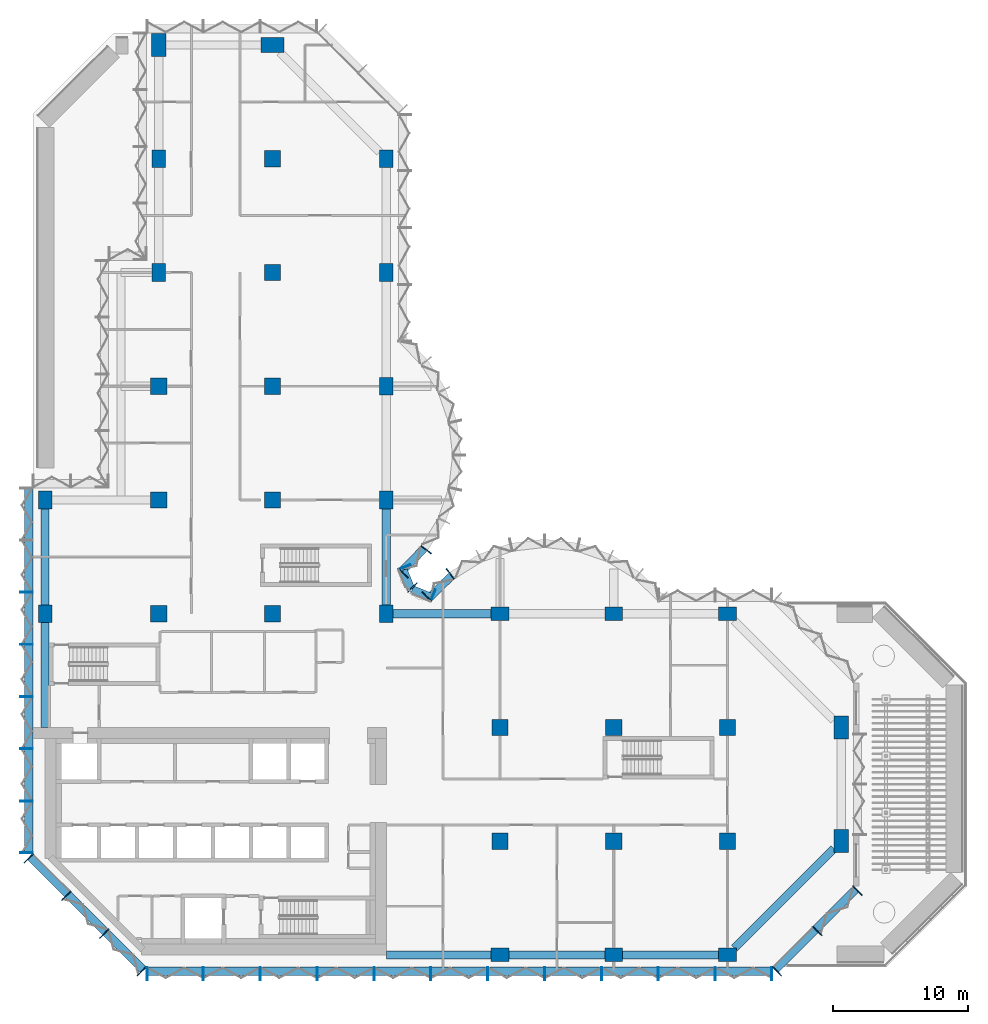
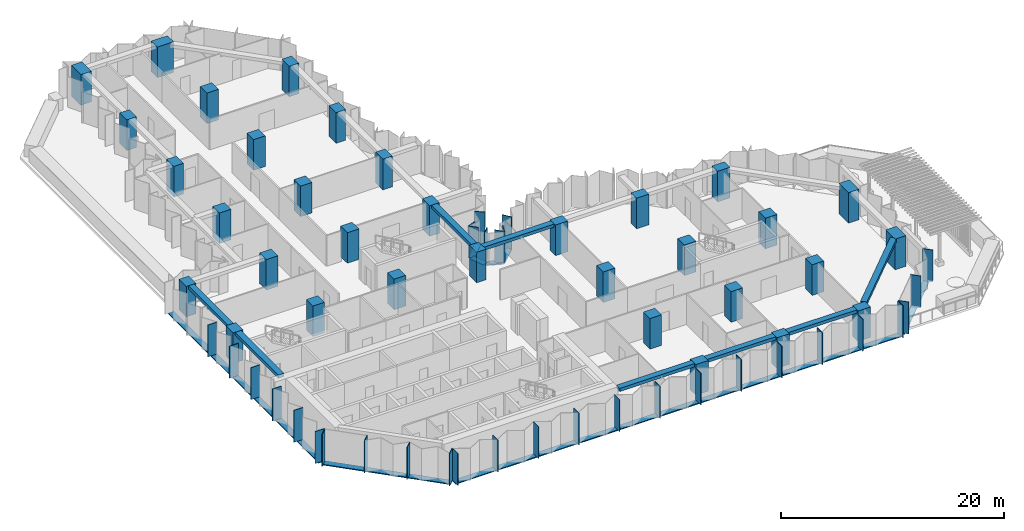
# One storey, part 1 of 18: 40 members, 33 columns, 8 beams, 7 elements without a shape of their own.
"""IFC4 building model written with IfcOpenShell, lengths in metres."""

from ifc_helpers import new_model, si_unit, direction, frame, origin, origin_2d, place, context, subcontext, project, spatial, rectangle, extrude, material, material_profile, profile_set, type_object, element, aggregate, save


model = new_model("IFC4")

# Units and contexts
model_context = context("Model", 3, precision=1e-05, world=origin(), true_north=direction((0.0, 1.0)))
body_context = subcontext(model_context, "Body", "Model", "MODEL_VIEW")
ifc_project = project(units=[si_unit("LENGTHUNIT", "METRE"), si_unit("AREAUNIT", "SQUARE_METRE"), si_unit("VOLUMEUNIT", "CUBIC_METRE"), si_unit("PLANEANGLEUNIT", "RADIAN"), si_unit("MASSUNIT", "GRAM", prefix="KILO")], contexts=[model_context])

# Site, building, storey
site_placement = place(None, origin())
site = spatial("IfcSite", under=ifc_project, at=site_placement, CompositionType="ELEMENT")
building_placement = place(site_placement, origin())
building = spatial("IfcBuilding", under=site, at=building_placement, Name="Brevane Broadcast Tower", CompositionType="ELEMENT")
storey_placement = place(building_placement, frame((0.0, 0.0, 134.89990234375)))
storey = spatial("IfcBuildingStorey", under=building, at=storey_placement, Name="L33", CompositionType="ELEMENT", Elevation=134.89990234375)

# Columns
ifc_material_1 = material(Name="Concrete C60/75", Category="concrete")
ifc_material_profile_1 = material_profile(ifc_material_1, rectangle(XDim=1.0, YDim=1.300048828125, at=origin_2d()), Name="RC 1000x1300")
ifc_profile_set_1 = profile_set([ifc_material_profile_1], Name="Concrete C60/75")
column_type_1 = type_object("IfcColumnType", Name="RC COLUMN EDGE 1000x1300 C60/75", PredefinedType="COLUMN", material=ifc_profile_set_1)
for number, where, z_axis, x_axis, name in (
    (1, (0.0, 25.199951171875, 0.0), (0.0, 0.0, 1.0), (1.0, 0.0, 0.0), "CE8 1/D"),
    (2, (0.0, 33.60009765625, 0.0), (0.0, 0.0, 1.0), (1.0, 0.0, 0.0), "CE8 1/E"),
    (3, (8.39990234375, 50.39990234375, 0.0), (0.0, 0.0, 1.0), (1.0, 0.0, 0.0), "CE8 2/G"),
    (4, (8.39990234375, 58.800048828125, 0.0), (0.0, 0.0, 1.0), (1.0, 0.0, 0.0), "CE8 2/H"),
    (5, (25.199951171875, 25.199951171875, 0.0), (0.0, 0.0, 1.0), (1.0, 0.0, 0.0), "CE8 4/D"),
    (6, (25.199951171875, 33.60009765625, 0.0), (0.0, 0.0, 1.0), (1.0, 0.0, 0.0), "CE8 4/E"),
    (7, (25.199951171875, 42.0, 0.0), (0.0, 0.0, 1.0), (1.0, 0.0, 0.0), "CE8 4/F"),
    (8, (25.199951171875, 50.39990234375, 0.0), (0.0, 0.0, 1.0), (1.0, 0.0, 0.0), "CE8 4/G"),
    (9, (25.199951171875, 58.800048828125, 0.0), (0.0, 0.0, 1.0), (1.0, 0.0, 0.0), "CE8 4/H"),
    (10, (33.60009765625, 0.0, 0.0), (0.0, 0.0, 1.0), (0.0, 1.0, 0.0), "CE8 5/A"),
    (11, (33.60009765625, 25.199951171875, 0.0), (0.0, 0.0, 1.0), (0.0, 1.0, 0.0), "CE8 5/D"),
    (12, (42.0, 0.0, 0.0), (0.0, 0.0, 1.0), (0.0, 1.0, 0.0), "CE8 6/A"),
    (13, (42.0, 25.199951171875, 0.0), (0.0, 0.0, 1.0), (0.0, 1.0, 0.0), "CE8 6/D"),
    (14, (50.39990234375, 0.0, 0.0), (0.0, 0.0, 1.0), (0.0, 1.0, 0.0), "CE8 7/A"),
    (15, (50.39990234375, 25.199951171875, 0.0), (0.0, 0.0, 1.0), (0.0, 1.0, 0.0), "CE8 7/D"),
):
    element("IfcColumn", number, at=place(storey_placement, frame(where, z_axis=z_axis, x_axis=x_axis)), inside=storey, type_object=column_type_1, Name=name, PredefinedType="COLUMN", context=body_context, shape_type="SweptSolid", body=[
        extrude(rectangle(XDim=1.0, YDim=1.300048828125, at=origin_2d()), origin(), (0.0, 0.0, 1.0), 3.35009765625),
    ])
ifc_material_profile_2 = material_profile(ifc_material_1, rectangle(XDim=1.199951171875, YDim=1.199951171875, at=origin_2d()), Name="RC 1200x1200")
ifc_profile_set_2 = profile_set([ifc_material_profile_2], Name="Concrete C60/75")
column_type_2 = type_object("IfcColumnType", Name="RC COLUMN INTERIOR 1200x1200 C60/75", PredefinedType="COLUMN", material=ifc_profile_set_2)
for number, where, z_axis, x_axis, name in (
    (16, (8.39990234375, 25.199951171875, 0.0), (0.0, 0.0, 1.0), (1.0, 0.0, 0.0), "CI9 2/D"),
    (17, (8.39990234375, 33.60009765625, 0.0), (0.0, 0.0, 1.0), (1.0, 0.0, 0.0), "CI9 2/E"),
    (18, (8.39990234375, 42.0, 0.0), (0.0, 0.0, 1.0), (1.0, 0.0, 0.0), "CI9 2/F"),
    (19, (16.800048828125, 25.199951171875, 0.0), (0.0, 0.0, 1.0), (1.0, 0.0, 0.0), "CI9 3/D"),
    (20, (16.800048828125, 33.60009765625, 0.0), (0.0, 0.0, 1.0), (1.0, 0.0, 0.0), "CI9 3/E"),
    (21, (16.800048828125, 42.0, 0.0), (0.0, 0.0, 1.0), (1.0, 0.0, 0.0), "CI9 3/F"),
    (22, (16.800048828125, 50.39990234375, 0.0), (0.0, 0.0, 1.0), (1.0, 0.0, 0.0), "CI9 3/G"),
    (23, (16.800048828125, 58.800048828125, 0.0), (0.0, 0.0, 1.0), (1.0, 0.0, 0.0), "CI9 3/H"),
    (24, (33.60009765625, 8.39990234375, 0.0), (0.0, 0.0, 1.0), (1.0, 0.0, 0.0), "CI9 5/B"),
    (25, (33.60009765625, 16.800048828125, 0.0), (0.0, 0.0, 1.0), (1.0, 0.0, 0.0), "CI9 5/C"),
    (26, (42.0, 8.39990234375, 0.0), (0.0, 0.0, 1.0), (1.0, 0.0, 0.0), "CI9 6/B"),
    (27, (42.0, 16.800048828125, 0.0), (0.0, 0.0, 1.0), (1.0, 0.0, 0.0), "CI9 6/C"),
    (28, (50.39990234375, 8.39990234375, 0.0), (0.0, 0.0, 1.0), (1.0, 0.0, 0.0), "CI9 7/B"),
    (29, (50.39990234375, 16.800048828125, 0.0), (0.0, 0.0, 1.0), (1.0, 0.0, 0.0), "CI9 7/C"),
):
    element("IfcColumn", number, at=place(storey_placement, frame(where, z_axis=z_axis, x_axis=x_axis)), inside=storey, type_object=column_type_2, Name=name, PredefinedType="COLUMN", context=body_context, shape_type="SweptSolid", body=[
        extrude(rectangle(XDim=1.199951171875, YDim=1.199951171875, at=origin_2d()), origin(), (0.0, 0.0, 1.0), 3.35009765625),
    ])
ifc_material_profile_3 = material_profile(ifc_material_1, rectangle(XDim=1.10009765625, YDim=1.699951171875, at=origin_2d()), Name="RC 1100x1700")
ifc_profile_set_3 = profile_set([ifc_material_profile_3], Name="Concrete C60/75")
column_type_3 = type_object("IfcColumnType", Name="RC COLUMN WING-END 1100x1700 C60/75", PredefinedType="COLUMN", material=ifc_profile_set_3)
for number, where, z_axis, x_axis, name in (
    (30, (8.39990234375, 67.199951171875, 0.0), (0.0, 0.0, 1.0), (1.0, 0.0, 0.0), "CW10 2/I"),
    (31, (16.800048828125, 67.199951171875, 0.0), (0.0, 0.0, 1.0), (0.0, 1.0, 0.0), "CW10 3/I"),
    (32, (58.800048828125, 8.39990234375, 0.0), (0.0, 0.0, 1.0), (1.0, 0.0, 0.0), "CW10 8/B"),
    (33, (58.800048828125, 16.800048828125, 0.0), (0.0, 0.0, 1.0), (1.0, 0.0, 0.0), "CW10 8/C"),
):
    element("IfcColumn", number, at=place(storey_placement, frame(where, z_axis=z_axis, x_axis=x_axis)), inside=storey, type_object=column_type_3, Name=name, PredefinedType="COLUMN", context=body_context, shape_type="SweptSolid", body=[
        extrude(rectangle(XDim=1.10009765625, YDim=1.699951171875, at=origin_2d()), origin(), (0.0, 0.0, 1.0), 3.35009765625),
    ])

# Curtain wall, members
ifc_material_2 = material(Name="Aluminium 6063-T6 bronze anodised", Category="aluminium")
curtain_wall_type = type_object("IfcCurtainWallType", Name="CW-1 curtain wall", PredefinedType="NOTDEFINED", material=ifc_material_2)
curtain_wall_1_placement = place(storey_placement, origin())
curtain_wall_1 = element("IfcCurtainWall", 34, at=curtain_wall_1_placement, inside=storey, type_object=curtain_wall_type, Name="CW-1 typical tilted unit L33 south face", PredefinedType="NOTDEFINED")
ifc_material_profile_4 = material_profile(ifc_material_2, rectangle(XDim=0.949951171875, YDim=0.070068359375, at=origin_2d()), Name="RECT 70x950")
ifc_profile_set_4 = profile_set([ifc_material_profile_4], Name="Aluminium 6063-T6 bronze anodised")
member_type_1 = type_object("IfcMemberType", Name="CW-1 mullion 70x950", PredefinedType="MULLION", material=ifc_profile_set_4)
member_1_placement = place(storey_placement, frame((7.534912109375, -1.375, -0.14990234375), z_axis=(0.0, 0.0, 1.0), x_axis=(0.0, 1.0, 0.0)))
member_1 = element("IfcMember", 35, at=member_1_placement, type_object=member_type_1, Name="CW-1 mullion", PredefinedType="MULLION", context=body_context, shape_type="SweptSolid", body=[
    extrude(rectangle(XDim=0.949951171875, YDim=0.070068359375, at=origin_2d()), origin(), (0.0, 0.0, 1.0), 3.5),
])
member_2_placement = place(storey_placement, frame((11.699951171875, -1.375, -0.14990234375), z_axis=(0.0, 0.0, 1.0), x_axis=(0.0, 1.0, 0.0)))
member_2 = element("IfcMember", 36, at=member_2_placement, type_object=member_type_1, Name="CW-1 mullion", PredefinedType="MULLION", context=body_context, shape_type="SweptSolid", body=[
    extrude(rectangle(XDim=0.949951171875, YDim=0.070068359375, at=origin_2d()), origin(), (0.0, 0.0, 1.0), 3.5),
])
member_3_placement = place(storey_placement, frame((15.89990234375, -1.375, -0.14990234375), z_axis=(0.0, 0.0, 1.0), x_axis=(0.0, 1.0, 0.0)))
member_3 = element("IfcMember", 37, at=member_3_placement, type_object=member_type_1, Name="CW-1 mullion", PredefinedType="MULLION", context=body_context, shape_type="SweptSolid", body=[
    extrude(rectangle(XDim=0.949951171875, YDim=0.070068359375, at=origin_2d()), origin(), (0.0, 0.0, 1.0), 3.5),
])
member_4_placement = place(storey_placement, frame((20.10009765625, -1.375, -0.14990234375), z_axis=(0.0, 0.0, 1.0), x_axis=(0.0, 1.0, 0.0)))
member_4 = element("IfcMember", 38, at=member_4_placement, type_object=member_type_1, Name="CW-1 mullion", PredefinedType="MULLION", context=body_context, shape_type="SweptSolid", body=[
    extrude(rectangle(XDim=0.949951171875, YDim=0.070068359375, at=origin_2d()), origin(), (0.0, 0.0, 1.0), 3.5),
])
member_5_placement = place(storey_placement, frame((24.300048828125, -1.375, -0.14990234375), z_axis=(0.0, 0.0, 1.0), x_axis=(0.0, 1.0, 0.0)))
member_5 = element("IfcMember", 39, at=member_5_placement, type_object=member_type_1, Name="CW-1 mullion", PredefinedType="MULLION", context=body_context, shape_type="SweptSolid", body=[
    extrude(rectangle(XDim=0.949951171875, YDim=0.070068359375, at=origin_2d()), origin(), (0.0, 0.0, 1.0), 3.5),
])
member_6_placement = place(storey_placement, frame((28.5, -1.375, -0.14990234375), z_axis=(0.0, 0.0, 1.0), x_axis=(0.0, 1.0, 0.0)))
member_6 = element("IfcMember", 40, at=member_6_placement, type_object=member_type_1, Name="CW-1 mullion", PredefinedType="MULLION", context=body_context, shape_type="SweptSolid", body=[
    extrude(rectangle(XDim=0.949951171875, YDim=0.070068359375, at=origin_2d()), origin(), (0.0, 0.0, 1.0), 3.5),
])
member_7_placement = place(storey_placement, frame((32.699951171875, -1.375, -0.14990234375), z_axis=(0.0, 0.0, 1.0), x_axis=(0.0, 1.0, 0.0)))
member_7 = element("IfcMember", 41, at=member_7_placement, type_object=member_type_1, Name="CW-1 mullion", PredefinedType="MULLION", context=body_context, shape_type="SweptSolid", body=[
    extrude(rectangle(XDim=0.949951171875, YDim=0.070068359375, at=origin_2d()), origin(), (0.0, 0.0, 1.0), 3.5),
])
member_8_placement = place(storey_placement, frame((36.89990234375, -1.375, -0.14990234375), z_axis=(0.0, 0.0, 1.0), x_axis=(0.0, 1.0, 0.0)))
member_8 = element("IfcMember", 42, at=member_8_placement, type_object=member_type_1, Name="CW-1 mullion", PredefinedType="MULLION", context=body_context, shape_type="SweptSolid", body=[
    extrude(rectangle(XDim=0.949951171875, YDim=0.070068359375, at=origin_2d()), origin(), (0.0, 0.0, 1.0), 3.5),
])
member_9_placement = place(storey_placement, frame((41.10009765625, -1.375, -0.14990234375), z_axis=(0.0, 0.0, 1.0), x_axis=(0.0, 1.0, 0.0)))
member_9 = element("IfcMember", 43, at=member_9_placement, type_object=member_type_1, Name="CW-1 mullion", PredefinedType="MULLION", context=body_context, shape_type="SweptSolid", body=[
    extrude(rectangle(XDim=0.949951171875, YDim=0.070068359375, at=origin_2d()), origin(), (0.0, 0.0, 1.0), 3.5),
])
member_10_placement = place(storey_placement, frame((45.300048828125, -1.375, -0.14990234375), z_axis=(0.0, 0.0, 1.0), x_axis=(0.0, 1.0, 0.0)))
member_10 = element("IfcMember", 44, at=member_10_placement, type_object=member_type_1, Name="CW-1 mullion", PredefinedType="MULLION", context=body_context, shape_type="SweptSolid", body=[
    extrude(rectangle(XDim=0.949951171875, YDim=0.070068359375, at=origin_2d()), origin(), (0.0, 0.0, 1.0), 3.5),
])
member_11_placement = place(storey_placement, frame((49.5, -1.375, -0.14990234375), z_axis=(0.0, 0.0, 1.0), x_axis=(0.0, 1.0, 0.0)))
member_11 = element("IfcMember", 45, at=member_11_placement, type_object=member_type_1, Name="CW-1 mullion", PredefinedType="MULLION", context=body_context, shape_type="SweptSolid", body=[
    extrude(rectangle(XDim=0.949951171875, YDim=0.070068359375, at=origin_2d()), origin(), (0.0, 0.0, 1.0), 3.5),
])
member_12_placement = place(storey_placement, frame((53.6650390625, -1.375, -0.14990234375), z_axis=(0.0, 0.0, 1.0), x_axis=(0.0, 1.0, 0.0)))
member_12 = element("IfcMember", 46, at=member_12_placement, type_object=member_type_1, Name="CW-1 mullion", PredefinedType="MULLION", context=body_context, shape_type="SweptSolid", body=[
    extrude(rectangle(XDim=0.949951171875, YDim=0.070068359375, at=origin_2d()), origin(), (0.0, 0.0, 1.0), 3.5),
])

curtain_wall_2_placement = place(storey_placement, origin())
curtain_wall_2 = element("IfcCurtainWall", 47, at=curtain_wall_2_placement, inside=storey, type_object=curtain_wall_type, Name="CW-1 typical tilted unit L33 south-east chamfer", PredefinedType="NOTDEFINED")
member_13_placement = place(storey_placement, frame((54.060546875, -1.211181640625, -0.14990234375), z_axis=(0.0, 0.0, 1.0), x_axis=(-0.707106781187, 0.707106781187, 0.0)))
member_13 = element("IfcMember", 48, at=member_13_placement, type_object=member_type_1, Name="CW-1 mullion", PredefinedType="MULLION", context=body_context, shape_type="SweptSolid", body=[
    extrude(rectangle(XDim=0.949951171875, YDim=0.070068359375, at=origin_2d()), origin(), (0.0, 0.0, 1.0), 3.5),
])
member_14_placement = place(storey_placement, frame((57.035888671875, 1.76416015625, -0.14990234375), z_axis=(0.0, 0.0, 1.0), x_axis=(-0.707106781187, 0.707106781187, 0.0)))
member_14 = element("IfcMember", 49, at=member_14_placement, type_object=member_type_1, Name="CW-1 mullion", PredefinedType="MULLION", context=body_context, shape_type="SweptSolid", body=[
    extrude(rectangle(XDim=0.949951171875, YDim=0.070068359375, at=origin_2d()), origin(), (0.0, 0.0, 1.0), 3.5),
])
member_15_placement = place(storey_placement, frame((60.01123046875, 4.7392578125, -0.14990234375), z_axis=(0.0, 0.0, 1.0), x_axis=(-0.707106781187, 0.707106781187, 0.0)))
member_15 = element("IfcMember", 50, at=member_15_placement, type_object=member_type_1, Name="CW-1 mullion", PredefinedType="MULLION", context=body_context, shape_type="SweptSolid", body=[
    extrude(rectangle(XDim=0.949951171875, YDim=0.070068359375, at=origin_2d()), origin(), (0.0, 0.0, 1.0), 3.5),
])

curtain_wall_3_placement = place(storey_placement, origin())
curtain_wall_3 = element("IfcCurtainWall", 51, at=curtain_wall_3_placement, inside=storey, type_object=curtain_wall_type, Name="CW-1 typical tilted unit L33 east bow", PredefinedType="NOTDEFINED")
member_16_placement = place(storey_placement, frame((29.927978515625, 28.1455078125, -0.14990234375), z_axis=(0.0, 0.0, 1.0), x_axis=(0.614769738617, -0.788706642853, 0.0)))
member_16 = element("IfcMember", 52, at=member_16_placement, type_object=member_type_1, Name="CW-1 mullion", PredefinedType="MULLION", context=body_context, shape_type="SweptSolid", body=[
    extrude(rectangle(XDim=0.949951171875, YDim=0.070068359375, at=origin_2d()), origin(), (0.0, 0.0, 1.0), 3.5),
])
member_17_placement = place(storey_placement, frame((28.194091796875, 26.465087890625, -0.14990234375), z_axis=(0.0, 0.0, 1.0), x_axis=(0.696811941702, -0.717253872699, 0.0)))
member_17 = element("IfcMember", 53, at=member_17_placement, type_object=member_type_1, Name="CW-1 mullion", PredefinedType="MULLION", context=body_context, shape_type="SweptSolid", body=[
    extrude(rectangle(XDim=0.949951171875, YDim=0.070068359375, at=origin_2d()), origin(), (0.0, 0.0, 1.0), 3.5),
])

curtain_wall_4_placement = place(storey_placement, origin())
curtain_wall_4 = element("IfcCurtainWall", 54, at=curtain_wall_4_placement, inside=storey, type_object=curtain_wall_type, Name="CW-1 typical tilted unit L33 inner corner", PredefinedType="NOTDEFINED")
member_18_placement = place(storey_placement, frame((28.6494140625, 26.55224609375, -0.14990234375), z_axis=(0.0, 0.0, 1.0), x_axis=(-0.382683612978, -0.923879457699, 0.0)))
member_18 = element("IfcMember", 55, at=member_18_placement, type_object=member_type_1, Name="CW-1 mullion", PredefinedType="MULLION", context=body_context, shape_type="SweptSolid", body=[
    extrude(rectangle(XDim=0.949951171875, YDim=0.070068359375, at=origin_2d()), origin(), (0.0, 0.0, 1.0), 3.5),
])
member_19_placement = place(storey_placement, frame((27.138916015625, 27.138916015625, -0.14990234375), z_axis=(0.0, 0.0, 1.0), x_axis=(-0.707106781187, -0.707106781187, 0.0)))
member_19 = element("IfcMember", 56, at=member_19_placement, type_object=member_type_1, Name="CW-1 mullion", PredefinedType="MULLION", context=body_context, shape_type="SweptSolid", body=[
    extrude(rectangle(XDim=0.949951171875, YDim=0.070068359375, at=origin_2d()), origin(), (0.0, 0.0, 1.0), 3.5),
])
member_20_placement = place(storey_placement, frame((26.55224609375, 28.6494140625, -0.14990234375), z_axis=(0.0, 0.0, 1.0), x_axis=(-0.923879457699, -0.382683612978, 0.0)))
member_20 = element("IfcMember", 57, at=member_20_placement, type_object=member_type_1, Name="CW-1 mullion", PredefinedType="MULLION", context=body_context, shape_type="SweptSolid", body=[
    extrude(rectangle(XDim=0.949951171875, YDim=0.070068359375, at=origin_2d()), origin(), (0.0, 0.0, 1.0), 3.5),
])

curtain_wall_5_placement = place(storey_placement, origin())
curtain_wall_5 = element("IfcCurtainWall", 58, at=curtain_wall_5_placement, inside=storey, type_object=curtain_wall_type, Name="CW-1 typical tilted unit L33 north bow", PredefinedType="NOTDEFINED")
member_21_placement = place(storey_placement, frame((26.465087890625, 28.194091796875, -0.14990234375), z_axis=(0.0, 0.0, 1.0), x_axis=(-0.717253872699, 0.696811941702, 0.0)))
member_21 = element("IfcMember", 59, at=member_21_placement, type_object=member_type_1, Name="CW-1 mullion", PredefinedType="MULLION", context=body_context, shape_type="SweptSolid", body=[
    extrude(rectangle(XDim=0.949951171875, YDim=0.070068359375, at=origin_2d()), origin(), (0.0, 0.0, 1.0), 3.5),
])
member_22_placement = place(storey_placement, frame((28.1455078125, 29.927978515625, -0.14990234375), z_axis=(0.0, 0.0, 1.0), x_axis=(-0.788706642853, 0.614769738617, 0.0)))
member_22 = element("IfcMember", 60, at=member_22_placement, type_object=member_type_1, Name="CW-1 mullion", PredefinedType="MULLION", context=body_context, shape_type="SweptSolid", body=[
    extrude(rectangle(XDim=0.949951171875, YDim=0.070068359375, at=origin_2d()), origin(), (0.0, 0.0, 1.0), 3.5),
])

curtain_wall_6_placement = place(storey_placement, origin())
curtain_wall_6 = element("IfcCurtainWall", 61, at=curtain_wall_6_placement, inside=storey, type_object=curtain_wall_type, Name="CW-1 typical tilted unit L33 west face", PredefinedType="NOTDEFINED")
member_23_placement = place(storey_placement, frame((-1.375, 26.78564453125, -0.14990234375), z_axis=(0.0, 0.0, 1.0), x_axis=(1.0, 0.0, 0.0)))
member_23 = element("IfcMember", 62, at=member_23_placement, type_object=member_type_1, Name="CW-1 mullion", PredefinedType="MULLION", context=body_context, shape_type="SweptSolid", body=[
    extrude(rectangle(XDim=0.949951171875, YDim=0.070068359375, at=origin_2d()), origin(), (0.0, 0.0, 1.0), 3.5),
])
member_24_placement = place(storey_placement, frame((-1.375, 22.928466796875, -0.14990234375), z_axis=(0.0, 0.0, 1.0), x_axis=(1.0, 0.0, 0.0)))
member_24 = element("IfcMember", 63, at=member_24_placement, type_object=member_type_1, Name="CW-1 mullion", PredefinedType="MULLION", context=body_context, shape_type="SweptSolid", body=[
    extrude(rectangle(XDim=0.949951171875, YDim=0.070068359375, at=origin_2d()), origin(), (0.0, 0.0, 1.0), 3.5),
])
member_25_placement = place(storey_placement, frame((-1.375, 19.071533203125, -0.14990234375), z_axis=(0.0, 0.0, 1.0), x_axis=(1.0, 0.0, 0.0)))
member_25 = element("IfcMember", 64, at=member_25_placement, type_object=member_type_1, Name="CW-1 mullion", PredefinedType="MULLION", context=body_context, shape_type="SweptSolid", body=[
    extrude(rectangle(XDim=0.949951171875, YDim=0.070068359375, at=origin_2d()), origin(), (0.0, 0.0, 1.0), 3.5),
])
member_26_placement = place(storey_placement, frame((-1.375, 15.21435546875, -0.14990234375), z_axis=(0.0, 0.0, 1.0), x_axis=(1.0, 0.0, 0.0)))
member_26 = element("IfcMember", 65, at=member_26_placement, type_object=member_type_1, Name="CW-1 mullion", PredefinedType="MULLION", context=body_context, shape_type="SweptSolid", body=[
    extrude(rectangle(XDim=0.949951171875, YDim=0.070068359375, at=origin_2d()), origin(), (0.0, 0.0, 1.0), 3.5),
])
member_27_placement = place(storey_placement, frame((-1.375, 11.357177734375, -0.14990234375), z_axis=(0.0, 0.0, 1.0), x_axis=(1.0, 0.0, 0.0)))
member_27 = element("IfcMember", 66, at=member_27_placement, type_object=member_type_1, Name="CW-1 mullion", PredefinedType="MULLION", context=body_context, shape_type="SweptSolid", body=[
    extrude(rectangle(XDim=0.949951171875, YDim=0.070068359375, at=origin_2d()), origin(), (0.0, 0.0, 1.0), 3.5),
])
member_28_placement = place(storey_placement, frame((-1.375, 7.534912109375, -0.14990234375), z_axis=(0.0, 0.0, 1.0), x_axis=(1.0, 0.0, 0.0)))
member_28 = element("IfcMember", 67, at=member_28_placement, type_object=member_type_1, Name="CW-1 mullion", PredefinedType="MULLION", context=body_context, shape_type="SweptSolid", body=[
    extrude(rectangle(XDim=0.949951171875, YDim=0.070068359375, at=origin_2d()), origin(), (0.0, 0.0, 1.0), 3.5),
])

curtain_wall_7_placement = place(storey_placement, origin())
curtain_wall_7 = element("IfcCurtainWall", 68, at=curtain_wall_7_placement, inside=storey, type_object=curtain_wall_type, Name="CW-1 typical tilted unit L33 south-west chamfer", PredefinedType="NOTDEFINED")
member_29_placement = place(storey_placement, frame((-1.211181640625, 7.139404296875, -0.14990234375), z_axis=(0.0, 0.0, 1.0), x_axis=(0.707106781187, 0.707106781187, 0.0)))
member_29 = element("IfcMember", 69, at=member_29_placement, type_object=member_type_1, Name="CW-1 mullion", PredefinedType="MULLION", context=body_context, shape_type="SweptSolid", body=[
    extrude(rectangle(XDim=0.949951171875, YDim=0.070068359375, at=origin_2d()), origin(), (0.0, 0.0, 1.0), 3.5),
])
member_30_placement = place(storey_placement, frame((1.564208984375, 4.364013671875, -0.14990234375), z_axis=(0.0, 0.0, 1.0), x_axis=(0.707106781187, 0.707106781187, 0.0)))
member_30 = element("IfcMember", 70, at=member_30_placement, type_object=member_type_1, Name="CW-1 mullion", PredefinedType="MULLION", context=body_context, shape_type="SweptSolid", body=[
    extrude(rectangle(XDim=0.949951171875, YDim=0.070068359375, at=origin_2d()), origin(), (0.0, 0.0, 1.0), 3.5),
])
member_31_placement = place(storey_placement, frame((4.364013671875, 1.564208984375, -0.14990234375), z_axis=(0.0, 0.0, 1.0), x_axis=(0.707106781187, 0.707106781187, 0.0)))
member_31 = element("IfcMember", 71, at=member_31_placement, type_object=member_type_1, Name="CW-1 mullion", PredefinedType="MULLION", context=body_context, shape_type="SweptSolid", body=[
    extrude(rectangle(XDim=0.949951171875, YDim=0.070068359375, at=origin_2d()), origin(), (0.0, 0.0, 1.0), 3.5),
])
member_32_placement = place(storey_placement, frame((7.139404296875, -1.211181640625, -0.14990234375), z_axis=(0.0, 0.0, 1.0), x_axis=(0.707106781187, 0.707106781187, 0.0)))
member_32 = element("IfcMember", 72, at=member_32_placement, type_object=member_type_1, Name="CW-1 mullion", PredefinedType="MULLION", context=body_context, shape_type="SweptSolid", body=[
    extrude(rectangle(XDim=0.949951171875, YDim=0.070068359375, at=origin_2d()), origin(), (0.0, 0.0, 1.0), 3.5),
])

# Member
ifc_material_profile_5 = material_profile(ifc_material_2, rectangle(XDim=0.60009765625, YDim=0.10009765625, at=origin_2d()), Name="RECT 100x600")
ifc_profile_set_5 = profile_set([ifc_material_profile_5], Name="Aluminium 6063-T6 bronze anodised")
member_type_2 = type_object("IfcMemberType", Name="CW-1 transom 100x600", PredefinedType="USERDEFINED", material=ifc_profile_set_5)
member_33_placement = place(storey_placement, frame((7.5, -1.199951171875, -0.199951171875), z_axis=(1.0, 0.0, 0.0), x_axis=(0.0, 1.0, 0.0)))
member_33 = element("IfcMember", 73, at=member_33_placement, type_object=member_type_2, Name="CW-1 transom", ObjectType="TRANSOM", PredefinedType="USERDEFINED", context=body_context, shape_type="SweptSolid", body=[
    extrude(rectangle(XDim=0.60009765625, YDim=0.10009765625, at=origin_2d()), origin(), (0.0, 0.0, 1.0), 46.199951171875),
])

aggregate(curtain_wall_1, [member_1, member_2, member_3, member_4, member_5, member_6, member_7, member_8, member_9, member_10, member_11, member_12, member_33])

member_34_placement = place(storey_placement, frame((53.912109375, -1.112060546875, -0.199951171875), z_axis=(0.707106781187, 0.707106781187, 0.0), x_axis=(-0.707106781187, 0.707106781187, 0.0)))
member_34 = element("IfcMember", 74, at=member_34_placement, type_object=member_type_2, Name="CW-1 transom", ObjectType="TRANSOM", PredefinedType="USERDEFINED", context=body_context, shape_type="SweptSolid", body=[
    extrude(rectangle(XDim=0.60009765625, YDim=0.10009765625, at=origin_2d()), origin(), (0.0, 0.0, 1.0), 8.4853515625),
])

aggregate(curtain_wall_2, [member_13, member_14, member_15, member_34])

member_35_placement = place(storey_placement, frame((29.99951171875, 27.974365234375, -0.199951171875), z_axis=(-0.71724215871, -0.696823999134, 0.0), x_axis=(0.696823999134, -0.71724215871, 0.0)))
member_35 = element("IfcMember", 75, at=member_35_placement, type_object=member_type_2, Name="CW-1 transom", ObjectType="TRANSOM", PredefinedType="USERDEFINED", context=body_context, shape_type="SweptSolid", body=[
    extrude(rectangle(XDim=0.60009765625, YDim=0.10009765625, at=origin_2d()), origin(), (0.0, 0.0, 1.0), 2.247802734375),
])

aggregate(curtain_wall_3, [member_16, member_17, member_35])

member_36_placement = place(storey_placement, frame((28.528076171875, 26.40673828125, -0.199951171875), z_axis=(-0.923883243627, 0.382674472816, 0.0), x_axis=(-0.382674472816, -0.923883243627, 0.0)))
member_36 = element("IfcMember", 76, at=member_36_placement, type_object=member_type_2, Name="CW-1 transom", ObjectType="TRANSOM", PredefinedType="USERDEFINED", context=body_context, shape_type="SweptSolid", body=[
    extrude(rectangle(XDim=0.60009765625, YDim=0.10009765625, at=origin_2d()), origin(), (0.0, 0.0, 1.0), 1.536865234375),
])

member_37_placement = place(storey_placement, frame((27.039794921875, 27.0, -0.199951171875), z_axis=(-0.382674472816, 0.923883243627, 0.0), x_axis=(-0.923883243627, -0.382674472816, 0.0)))
member_37 = element("IfcMember", 77, at=member_37_placement, type_object=member_type_2, Name="CW-1 transom", ObjectType="TRANSOM", PredefinedType="USERDEFINED", context=body_context, shape_type="SweptSolid", body=[
    extrude(rectangle(XDim=0.60009765625, YDim=0.10009765625, at=origin_2d()), origin(), (0.0, 0.0, 1.0), 1.536865234375),
])

aggregate(curtain_wall_4, [member_18, member_19, member_20, member_36, member_37])

member_38_placement = place(storey_placement, frame((26.407958984375, 28.38720703125, -0.199951171875), z_axis=(0.696823999134, 0.71724215871, 0.0), x_axis=(-0.71724215871, 0.696823999134, 0.0)))
member_38 = element("IfcMember", 78, at=member_38_placement, type_object=member_type_2, Name="CW-1 transom", ObjectType="TRANSOM", PredefinedType="USERDEFINED", context=body_context, shape_type="SweptSolid", body=[
    extrude(rectangle(XDim=0.60009765625, YDim=0.10009765625, at=origin_2d()), origin(), (0.0, 0.0, 1.0), 2.247802734375),
])

aggregate(curtain_wall_5, [member_21, member_22, member_38])

member_39_placement = place(storey_placement, frame((-1.199951171875, 34.5, -0.199951171875), z_axis=(0.0, -1.0, 0.0), x_axis=(1.0, 0.0, 0.0)))
member_39 = element("IfcMember", 79, at=member_39_placement, type_object=member_type_2, Name="CW-1 transom", ObjectType="TRANSOM", PredefinedType="USERDEFINED", context=body_context, shape_type="SweptSolid", body=[
    extrude(rectangle(XDim=0.60009765625, YDim=0.10009765625, at=origin_2d()), origin(), (0.0, 0.0, 1.0), 27.0),
])

aggregate(curtain_wall_6, [member_23, member_24, member_25, member_26, member_27, member_28, member_39])

member_40_placement = place(storey_placement, frame((-1.112060546875, 7.287841796875, -0.199951171875), z_axis=(0.707106781187, -0.707106781187, 0.0), x_axis=(0.707106781187, 0.707106781187, 0.0)))
member_40 = element("IfcMember", 80, at=member_40_placement, type_object=member_type_2, Name="CW-1 transom", ObjectType="TRANSOM", PredefinedType="USERDEFINED", context=body_context, shape_type="SweptSolid", body=[
    extrude(rectangle(XDim=0.60009765625, YDim=0.10009765625, at=origin_2d()), origin(), (0.0, 0.0, 1.0), 11.879150390625),
])

aggregate(curtain_wall_7, [member_29, member_30, member_31, member_32, member_40])

# Beams
ifc_material_3 = material(Name="Concrete C40/50", Category="concrete")
ifc_material_profile_6 = material_profile(ifc_material_3, rectangle(XDim=0.60009765625, YDim=0.35009765625, at=origin_2d()), Name="RC 600x350")
ifc_profile_set_6 = profile_set([ifc_material_profile_6], Name="Concrete C40/50")
beam_type = type_object("IfcBeamType", Name="RC SPANDREL BEAM 600x350 C40/50", PredefinedType="SPANDREL", material=ifc_profile_set_6)
beam_1_placement = place(storey_placement, frame((25.199951171875, 0.0, 3.175048828125), z_axis=(1.0, 0.0, 0.0), x_axis=(0.0, 1.0, 0.0)))
element("IfcBeam", 81, at=beam_1_placement, inside=storey, type_object=beam_type, Name="EB1 L33-1", PredefinedType="SPANDREL", context=body_context, shape_type="SweptSolid", body=[
    extrude(rectangle(XDim=0.60009765625, YDim=0.35009765625, at=origin_2d()), origin(), (0.0, 0.0, 1.0), 7.75),
])
for number, where, z_axis, x_axis, name in (
    (82, (34.25, 0.0, 3.175048828125), (1.0, 0.0, 0.0), (0.0, 1.0, 0.0), "EB1 L33-2"),
    (83, (42.64990234375, 0.0, 3.175048828125), (1.0, 0.0, 0.0), (0.0, 1.0, 0.0), "EB1 L33-3"),
):
    element("IfcBeam", number, at=place(storey_placement, frame(where, z_axis=z_axis, x_axis=x_axis)), inside=storey, type_object=beam_type, Name=name, PredefinedType="SPANDREL", context=body_context, shape_type="SweptSolid", body=[
        extrude(rectangle(XDim=0.60009765625, YDim=0.35009765625, at=origin_2d()), origin(), (0.0, 0.0, 1.0), 7.10009765625),
    ])
beam_2_placement = place(storey_placement, frame((50.89990234375, 0.5, 3.175048828125), z_axis=(0.707106781187, 0.707106781187, 0.0), x_axis=(-0.707106781187, 0.707106781187, 0.0)))
element("IfcBeam", 84, at=beam_2_placement, inside=storey, type_object=beam_type, Name="EB1 L33-4", PredefinedType="SPANDREL", context=body_context, shape_type="SweptSolid", body=[
    extrude(rectangle(XDim=0.60009765625, YDim=0.35009765625, at=origin_2d()), origin(), (0.0, 0.0, 1.0), 10.39453125),
])
beam_3_placement = place(storey_placement, frame((32.949951171875, 25.199951171875, 3.175048828125), z_axis=(-1.0, 0.0, 0.0), x_axis=(0.0, -1.0, 0.0)))
element("IfcBeam", 85, at=beam_3_placement, inside=storey, type_object=beam_type, Name="EB1 L33-9", PredefinedType="SPANDREL", context=body_context, shape_type="SweptSolid", body=[
    extrude(rectangle(XDim=0.60009765625, YDim=0.35009765625, at=origin_2d()), origin(), (0.0, 0.0, 1.0), 7.25),
])
for number, where, z_axis, x_axis, name in (
    (86, (25.199951171875, 25.85009765625, 3.175048828125), (0.0, 1.0, 0.0), (-1.0, 0.0, 0.0), "EB1 L33-10"),
    (87, (0.0, 32.949951171875, 3.175048828125), (0.0, -1.0, 0.0), (1.0, 0.0, 0.0), "EB1 L33-16"),
):
    element("IfcBeam", number, at=place(storey_placement, frame(where, z_axis=z_axis, x_axis=x_axis)), inside=storey, type_object=beam_type, Name=name, PredefinedType="SPANDREL", context=body_context, shape_type="SweptSolid", body=[
        extrude(rectangle(XDim=0.60009765625, YDim=0.35009765625, at=origin_2d()), origin(), (0.0, 0.0, 1.0), 7.099853515625),
    ])
beam_4_placement = place(storey_placement, frame((0.0, 24.550048828125, 3.175048828125), z_axis=(0.0, -1.0, 0.0), x_axis=(1.0, 0.0, 0.0)))
element("IfcBeam", 88, at=beam_4_placement, inside=storey, type_object=beam_type, Name="EB1 L33-17", PredefinedType="SPANDREL", context=body_context, shape_type="SweptSolid", body=[
    extrude(rectangle(XDim=0.60009765625, YDim=0.35009765625, at=origin_2d()), origin(), (0.0, 0.0, 1.0), 7.75),
])

save(model, "model.ifc")
